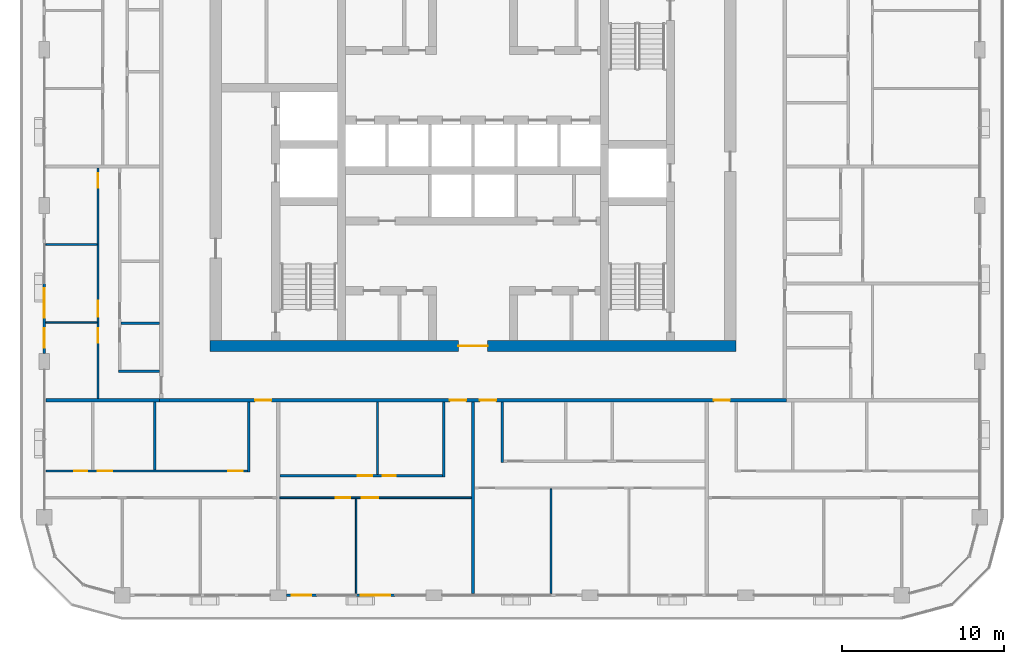
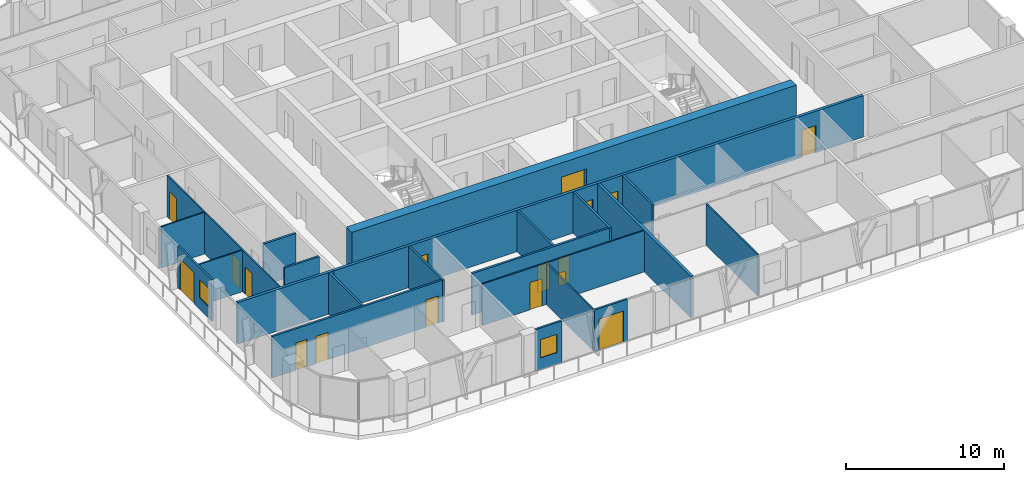
# One storey, part 9 of 22: 22 walls, 17 doors, 2 windows, 19 openings.
"""IFC4 building model written with IfcOpenShell, lengths in metres."""

from ifc_helpers import new_model, si_unit, direction, frame, frame_2d, origin, place, context, subcontext, project, spatial, rectangle, extrude, material, layer, layer_set, type_object, element, fill, save


model = new_model("IFC4")

# Units and contexts
model_context = context("Model", 3, precision=1e-05, world=origin(), true_north=direction((0.0, 1.0)))
body_context = subcontext(model_context, "Body", "Model", "MODEL_VIEW")
ifc_project = project(units=[si_unit("LENGTHUNIT", "METRE"), si_unit("AREAUNIT", "SQUARE_METRE"), si_unit("VOLUMEUNIT", "CUBIC_METRE"), si_unit("PLANEANGLEUNIT", "RADIAN"), si_unit("MASSUNIT", "GRAM", prefix="KILO")], contexts=[model_context])

# Site, building, storey
site_placement = place(None, origin())
site = spatial("IfcSite", under=ifc_project, at=site_placement, CompositionType="ELEMENT")
building_placement = place(site_placement, origin())
building = spatial("IfcBuilding", under=site, at=building_placement, Name="Madar Terraces", CompositionType="ELEMENT")
storey_placement = place(building_placement, frame((0.0, 0.0, 192.89990234375)))
storey = spatial("IfcBuildingStorey", under=building, at=storey_placement, Name="L50", CompositionType="ELEMENT", Elevation=192.89990234375)

# Wall, opening, door
ifc_material_1 = material(Name="Concrete C60/75", Category="concrete")
ifc_layer_1 = layer(ifc_material_1, 0.699951171875)
ifc_layer_set_1 = layer_set([ifc_layer_1], Name="Concrete C60/75 (CRW4 RC wall 700)")
wall_type_1 = type_object("IfcWallType", Name="CRW4 RC wall 700", PredefinedType="SHEAR", material=ifc_layer_set_1)
wall_1_placement = place(storey_placement, frame((15.0, 15.35009765625, 0.0), z_axis=(0.0, 0.0, 1.0), x_axis=(1.0, 0.0, 0.0)))
wall_1 = element("IfcWall", 1, at=wall_1_placement, inside=storey, type_object=wall_type_1, Name="CORE OUTER WALL", PredefinedType="SHEAR", context=body_context, shape_type="SweptSolid", body=[
    extrude(rectangle(XDim=32.39990234375, YDim=0.699951171875, at=frame_2d((16.199951171875, 0.0))), origin(), (0.0, 0.0, 1.0), 3.2001953125),
])
opening_1_placement = place(wall_1_placement, frame((15.300048828125, 0.0, 0.0)))
opening_1 = element("IfcOpeningElement", 2, at=opening_1_placement, cuts=wall_1, Name="Opening KD1", PredefinedType="OPENING", context=body_context, shape_type="SweptSolid", body=[
    extrude(rectangle(XDim=1.800048828125, YDim=2.10009765625, at=frame_2d((0.89990234375, 1.050048828125))), frame((0.0, 0.35986328125, 0.0), z_axis=(0.0, -1.0, 0.0), x_axis=(1.0, 0.0, 0.0)), (0.0, 0.0, 1.0), 0.719970703125),
])
ifc_material_2 = material(Name="Steel door leaf", Category="steel")
door_type_1 = type_object("IfcDoorType", Name="Lobby door pair 1800 x 2100", OperationType="DOUBLE_DOOR_SINGLE_SWING", PredefinedType="DOOR", material=ifc_material_2)
door_1_placement = place(opening_1_placement, frame((1.800048828125, 0.0, 0.0), z_axis=(0.0, 0.0, 1.0), x_axis=(-1.0, 0.0, 0.0)))
door_1 = element("IfcDoor", 3, at=door_1_placement, inside=storey, type_object=door_type_1, Name="LIFT LOBBY DOOR", OperationType="DOUBLE_DOOR_SINGLE_SWING", OverallHeight=2.10009765625, OverallWidth=1.800048828125, PredefinedType="DOOR", context=body_context, shape_type="SweptSolid", body=[
    extrude(rectangle(XDim=1.800048828125, YDim=2.10009765625, at=frame_2d((0.89990234375, 1.050048828125))), frame((0.0, 0.02490234375, 0.0), z_axis=(0.0, -1.0, 0.0), x_axis=(1.0, 0.0, 0.0)), (0.0, 0.0, 1.0), 0.050048828125),
])
fill(opening_1, door_1)

# Wall, opening, window
ifc_material_3 = material(Name="Aluminium composite panel, black, over insulated backing", Category="aluminium")
ifc_layer_2 = layer(ifc_material_3, 0.14990234375)
ifc_layer_set_2 = layer_set([ifc_layer_2], Name="Facade bay panel 150")
wall_type_2 = type_object("IfcWallType", Name="Facade bay panel 150", PredefinedType="SOLIDWALL", material=ifc_layer_set_2)
wall_2_placement = place(storey_placement, frame((19.699951171875, 0.0, 0.0), z_axis=(0.0, 0.0, 1.0), x_axis=(1.0, 0.0, 0.0)))
wall_2 = element("IfcWall", 4, at=wall_2_placement, inside=storey, type_object=wall_type_2, Name="Facade bay panel", PredefinedType="SOLIDWALL", context=body_context, shape_type="SweptSolid", body=[
    extrude(rectangle(XDim=1.900146484375, YDim=0.14990234375, at=frame_2d((0.9501953125, 0.0))), origin(), (0.0, 0.0, 1.0), 3.2001953125),
])
opening_2_placement = place(wall_2_placement, frame((0.35009765625, 0.0, 0.89990234375)))
opening_2 = element("IfcOpeningElement", 5, at=opening_2_placement, cuts=wall_2, Name="Opening W1", PredefinedType="OPENING", context=body_context, shape_type="SweptSolid", body=[
    extrude(rectangle(XDim=1.199951171875, YDim=1.39990234375, at=frame_2d((0.60009765625, 0.699951171875))), frame((0.0, 0.0849609375, 0.0), z_axis=(0.0, -1.0, 0.0), x_axis=(1.0, 0.0, 0.0)), (0.0, 0.0, 1.0), 0.169921875),
])
ifc_material_4 = material(Name="Glass, clear, with black aluminium frame", Category="aluminium")
window_type = type_object("IfcWindowType", Name="Vent window 1200 x 1400", PartitioningType="SINGLE_PANEL", PredefinedType="WINDOW", material=ifc_material_4)
window_1_placement = place(opening_2_placement, origin())
window_1 = element("IfcWindow", 6, at=window_1_placement, inside=storey, type_object=window_type, Name="Operable vent window", OverallHeight=1.39990234375, OverallWidth=1.199951171875, PartitioningType="SINGLE_PANEL", PredefinedType="WINDOW", context=body_context, shape_type="SweptSolid", body=[
    extrude(rectangle(XDim=1.199951171875, YDim=1.39990234375, at=frame_2d((0.60009765625, 0.699951171875))), frame((0.0, 0.030029296875, 0.0), z_axis=(0.0, -1.0, 0.0), x_axis=(1.0, 0.0, 0.0)), (0.0, 0.0, 1.0), 0.06005859375),
])
fill(opening_2, window_1)

# Wall, opening, door
wall_3_placement = place(storey_placement, frame((24.0, 0.0, 0.0), z_axis=(0.0, 0.0, 1.0), x_axis=(1.0, 0.0, 0.0)))
wall_3 = element("IfcWall", 7, at=wall_3_placement, inside=storey, type_object=wall_type_2, Name="Facade bay panel", PredefinedType="SOLIDWALL", context=body_context, shape_type="SweptSolid", body=[
    extrude(rectangle(XDim=2.39990234375, YDim=0.14990234375, at=frame_2d((1.199951171875, 0.0))), origin(), (0.0, 0.0, 1.0), 3.2001953125),
])
opening_3_placement = place(wall_3_placement, frame((0.300048828125, 0.0, 0.0)))
opening_3 = element("IfcOpeningElement", 8, at=opening_3_placement, cuts=wall_3, Name="Opening ED1", PredefinedType="OPENING", context=body_context, shape_type="SweptSolid", body=[
    extrude(rectangle(XDim=1.800048828125, YDim=2.39990234375, at=frame_2d((0.89990234375, 1.199951171875))), frame((0.0, 0.0849609375, 0.0), z_axis=(0.0, -1.0, 0.0), x_axis=(1.0, 0.0, 0.0)), (0.0, 0.0, 1.0), 0.169921875),
])
ifc_material_5 = material(Name="Glass, clear, with black aluminium frame", Category="aluminium")
door_type_2 = type_object("IfcDoorType", Name="Balcony and terrace sliding door 1800 x 2400", OperationType="SLIDING_TO_LEFT", PredefinedType="DOOR", material=ifc_material_5)
door_2_placement = place(opening_3_placement, origin())
door_2 = element("IfcDoor", 9, at=door_2_placement, inside=storey, type_object=door_type_2, Name="Balcony door", OperationType="SLIDING_TO_RIGHT", OverallHeight=2.39990234375, OverallWidth=1.800048828125, PredefinedType="DOOR", context=body_context, shape_type="SweptSolid", body=[
    extrude(rectangle(XDim=1.800048828125, YDim=2.39990234375, at=frame_2d((0.89990234375, 1.199951171875))), frame((0.0, 0.02490234375, 0.0), z_axis=(0.0, -1.0, 0.0), x_axis=(1.0, 0.0, 0.0)), (0.0, 0.0, 1.0), 0.050048828125),
])
fill(opening_3, door_2)

# Wall, openings, door, window
wall_4_placement = place(storey_placement, frame((4.800048828125, 19.199951171875, 0.0), z_axis=(0.0, 0.0, 1.0), x_axis=(0.0, -1.0, 0.0)))
wall_4 = element("IfcWall", 10, at=wall_4_placement, inside=storey, type_object=wall_type_2, Name="Facade bay panel", PredefinedType="SOLIDWALL", context=body_context, shape_type="SweptSolid", body=[
    extrude(rectangle(XDim=4.300048828125, YDim=0.14990234375, at=frame_2d((2.14990234375, 0.0))), origin(), (0.0, 0.0, 1.0), 3.2001953125),
])
opening_4_placement = place(wall_4_placement, frame((0.300048828125, 0.0, 0.0)))
opening_4 = element("IfcOpeningElement", 11, at=opening_4_placement, cuts=wall_4, Name="Opening ED1", PredefinedType="OPENING", context=body_context, shape_type="SweptSolid", body=[
    extrude(rectangle(XDim=1.800048828125, YDim=2.39990234375, at=frame_2d((0.89990234375, 1.199951171875))), frame((0.0, 0.0849609375, 0.0), z_axis=(0.0, -1.0, 0.0), x_axis=(1.0, 0.0, 0.0)), (0.0, 0.0, 1.0), 0.169921875),
])
opening_5_placement = place(wall_4_placement, frame((2.75, 0.0, 0.89990234375)))
opening_5 = element("IfcOpeningElement", 12, at=opening_5_placement, cuts=wall_4, Name="Opening W1", PredefinedType="OPENING", context=body_context, shape_type="SweptSolid", body=[
    extrude(rectangle(XDim=1.199951171875, YDim=1.39990234375, at=frame_2d((0.60009765625, 0.699951171875))), frame((0.0, 0.0849609375, 0.0), z_axis=(0.0, -1.0, 0.0), x_axis=(1.0, 0.0, 0.0)), (0.0, 0.0, 1.0), 0.169921875),
])
door_3_placement = place(opening_4_placement, origin())
door_3 = element("IfcDoor", 13, at=door_3_placement, inside=storey, type_object=door_type_2, Name="Balcony door", OperationType="SLIDING_TO_LEFT", OverallHeight=2.39990234375, OverallWidth=1.800048828125, PredefinedType="DOOR", context=body_context, shape_type="SweptSolid", body=[
    extrude(rectangle(XDim=1.800048828125, YDim=2.39990234375, at=frame_2d((0.89990234375, 1.199951171875))), frame((0.0, 0.02490234375, 0.0), z_axis=(0.0, -1.0, 0.0), x_axis=(1.0, 0.0, 0.0)), (0.0, 0.0, 1.0), 0.050048828125),
])
fill(opening_4, door_3)
window_2_placement = place(opening_5_placement, origin())
window_2 = element("IfcWindow", 14, at=window_2_placement, inside=storey, type_object=window_type, Name="Operable vent window", OverallHeight=1.39990234375, OverallWidth=1.199951171875, PartitioningType="SINGLE_PANEL", PredefinedType="WINDOW", context=body_context, shape_type="SweptSolid", body=[
    extrude(rectangle(XDim=1.199951171875, YDim=1.39990234375, at=frame_2d((0.60009765625, 0.699951171875))), frame((0.0, 0.030029296875, 0.0), z_axis=(0.0, -1.0, 0.0), x_axis=(1.0, 0.0, 0.0)), (0.0, 0.0, 1.0), 0.06005859375),
])
fill(opening_5, window_2)

# Wall
ifc_material_6 = material(Name="Gypsum board on steel studs", Category="steel")
ifc_layer_3 = layer(ifc_material_6, 0.10009765625)
ifc_layer_set_3 = layer_set([ifc_layer_3], Name="Flat partition 100")
wall_type_3 = type_object("IfcWallType", Name="Flat partition 100", PredefinedType="PARTITIONING", material=ifc_layer_set_3)
wall_5_placement = place(storey_placement, frame((24.0, 5.949951171875, 0.0), z_axis=(0.0, 0.0, 1.0), x_axis=(0.0, -1.0, 0.0)))
element("IfcWall", 15, at=wall_5_placement, inside=storey, type_object=wall_type_3, Name="Flat partition 100", PredefinedType="PARTITIONING", context=body_context, shape_type="SweptSolid", body=[
    extrude(rectangle(XDim=5.849853515625, YDim=0.10009765625, at=frame_2d((2.9248046875, 0.0))), origin(), (0.0, 0.0, 1.0), 3.2001953125),
])

# Wall, openings, doors
wall_6_placement = place(storey_placement, frame((31.10009765625, 6.0, 0.0), z_axis=(0.0, 0.0, 1.0), x_axis=(-1.0, 0.0, 0.0)))
wall_6 = element("IfcWall", 16, at=wall_6_placement, inside=storey, type_object=wall_type_3, Name="Flat partition 100", PredefinedType="PARTITIONING", context=body_context, shape_type="SweptSolid", body=[
    extrude(rectangle(XDim=11.800048828125, YDim=0.10009765625, at=frame_2d((5.89990234375, 0.0))), origin(), (0.0, 0.0, 1.0), 3.2001953125),
])
opening_6_placement = place(wall_6_placement, frame((5.75, 0.0, 0.0)))
opening_6 = element("IfcOpeningElement", 17, at=opening_6_placement, cuts=wall_6, Name="Opening D3", PredefinedType="OPENING", context=body_context, shape_type="SweptSolid", body=[
    extrude(rectangle(XDim=1.0, YDim=2.10009765625, at=frame_2d((0.5, 1.050048828125))), frame((0.0, 0.06005859375, 0.0), z_axis=(0.0, -1.0, 0.0), x_axis=(1.0, 0.0, 0.0)), (0.0, 0.0, 1.0), 0.1201171875),
])
opening_7_placement = place(wall_6_placement, frame((7.449951171875, 0.0, 0.0)))
opening_7 = element("IfcOpeningElement", 18, at=opening_7_placement, cuts=wall_6, Name="Opening D2", PredefinedType="OPENING", context=body_context, shape_type="SweptSolid", body=[
    extrude(rectangle(XDim=0.89990234375, YDim=2.10009765625, at=frame_2d((0.449951171875, 1.050048828125))), frame((0.0, 0.06005859375, 0.0), z_axis=(0.0, -1.0, 0.0), x_axis=(1.0, 0.0, 0.0)), (0.0, 0.0, 1.0), 0.1201171875),
])
ifc_material_7 = material(Name="Timber door leaf", Category="wood")
door_type_3 = type_object("IfcDoorType", Name="Flat living room door 1000", OperationType="NOTDEFINED", PredefinedType="DOOR", material=ifc_material_7)
door_4_placement = place(opening_6_placement, origin())
door_4 = element("IfcDoor", 19, at=door_4_placement, inside=storey, type_object=door_type_3, Name="Flat living room door 1000", OperationType="SINGLE_SWING_RIGHT", OverallHeight=2.10009765625, OverallWidth=1.0, PredefinedType="DOOR", context=body_context, shape_type="SweptSolid", body=[
    extrude(rectangle(XDim=1.0, YDim=2.10009765625, at=frame_2d((0.5, 1.050048828125))), frame((0.0, 0.02490234375, 0.0), z_axis=(0.0, -1.0, 0.0), x_axis=(1.0, 0.0, 0.0)), (0.0, 0.0, 1.0), 0.050048828125),
])
fill(opening_6, door_4)
ifc_material_8 = material(Name="Timber door leaf", Category="wood")
door_type_4 = type_object("IfcDoorType", Name="Flat room door 900", OperationType="NOTDEFINED", PredefinedType="DOOR", material=ifc_material_8)
door_5_placement = place(opening_7_placement, origin())
door_5 = element("IfcDoor", 20, at=door_5_placement, inside=storey, type_object=door_type_4, Name="Flat room door 900", OperationType="SINGLE_SWING_LEFT", OverallHeight=2.10009765625, OverallWidth=0.89990234375, PredefinedType="DOOR", context=body_context, shape_type="SweptSolid", body=[
    extrude(rectangle(XDim=0.89990234375, YDim=2.10009765625, at=frame_2d((0.449951171875, 1.050048828125))), frame((0.0, 0.02490234375, 0.0), z_axis=(0.0, -1.0, 0.0), x_axis=(1.0, 0.0, 0.0)), (0.0, 0.0, 1.0), 0.050048828125),
])
fill(opening_7, door_5)

# Walls
wall_7_placement = place(storey_placement, frame((36.0, 6.550048828125, 0.0), z_axis=(0.0, 0.0, 1.0), x_axis=(0.0, -1.0, 0.0)))
element("IfcWall", 21, at=wall_7_placement, inside=storey, type_object=wall_type_3, Name="Flat partition 100", PredefinedType="PARTITIONING", context=body_context, shape_type="SweptSolid", body=[
    extrude(rectangle(XDim=6.449951171875, YDim=0.10009765625, at=frame_2d((3.22509765625, 0.0))), origin(), (0.0, 0.0, 1.0), 3.2001953125),
])
for number, where, z_axis, x_axis, name in (
    (22, (8.050048828125, 16.800048828125, 0.0), (0.0, 0.0, 1.0), (-1.0, 0.0, 0.0), "Flat partition 100"),
    (23, (8.050048828125, 21.60009765625, 0.0), (0.0, 0.0, 1.0), (-1.0, 0.0, 0.0), "Flat partition 100"),
):
    element("IfcWall", number, at=place(storey_placement, frame(where, z_axis=z_axis, x_axis=x_axis)), inside=storey, type_object=wall_type_3, Name=name, PredefinedType="PARTITIONING", context=body_context, shape_type="SweptSolid", body=[
        extrude(rectangle(XDim=3.150146484375, YDim=0.10009765625, at=frame_2d((1.5751953125, 0.0))), origin(), (0.0, 0.0, 1.0), 3.2001953125),
    ])

# Wall, openings, doors
wall_8_placement = place(storey_placement, frame((8.10009765625, 12.10009765625, 0.0), z_axis=(0.0, 0.0, 1.0), x_axis=(0.0, 1.0, 0.0)))
wall_8 = element("IfcWall", 24, at=wall_8_placement, inside=storey, type_object=wall_type_3, Name="Flat partition 100", PredefinedType="PARTITIONING", context=body_context, shape_type="SweptSolid", body=[
    extrude(rectangle(XDim=14.199951171875, YDim=0.10009765625, at=frame_2d((7.10009765625, 0.0))), origin(), (0.0, 0.0, 1.0), 3.2001953125),
])
opening_8_placement = place(wall_8_placement, frame((3.449951171875, 0.0, 0.0)))
opening_8 = element("IfcOpeningElement", 25, at=opening_8_placement, cuts=wall_8, Name="Opening D2", PredefinedType="OPENING", context=body_context, shape_type="SweptSolid", body=[
    extrude(rectangle(XDim=0.89990234375, YDim=2.10009765625, at=frame_2d((0.449951171875, 1.050048828125))), frame((0.0, 0.06005859375, 0.0), z_axis=(0.0, -1.0, 0.0), x_axis=(1.0, 0.0, 0.0)), (0.0, 0.0, 1.0), 0.1201171875),
])
opening_9_placement = place(wall_8_placement, frame((5.050048828125, 0.0, 0.0)))
opening_9 = element("IfcOpeningElement", 26, at=opening_9_placement, cuts=wall_8, Name="Opening D3", PredefinedType="OPENING", context=body_context, shape_type="SweptSolid", body=[
    extrude(rectangle(XDim=1.0, YDim=2.10009765625, at=frame_2d((0.5, 1.050048828125))), frame((0.0, 0.06005859375, 0.0), z_axis=(0.0, -1.0, 0.0), x_axis=(1.0, 0.0, 0.0)), (0.0, 0.0, 1.0), 0.1201171875),
])
opening_10_placement = place(wall_8_placement, frame((13.0, 0.0, 0.0)))
opening_10 = element("IfcOpeningElement", 27, at=opening_10_placement, cuts=wall_8, Name="Opening D2", PredefinedType="OPENING", context=body_context, shape_type="SweptSolid", body=[
    extrude(rectangle(XDim=0.89990234375, YDim=2.10009765625, at=frame_2d((0.449951171875, 1.050048828125))), frame((0.0, 0.06005859375, 0.0), z_axis=(0.0, -1.0, 0.0), x_axis=(1.0, 0.0, 0.0)), (0.0, 0.0, 1.0), 0.1201171875),
])
door_6_placement = place(opening_9_placement, origin())
door_6 = element("IfcDoor", 28, at=door_6_placement, inside=storey, type_object=door_type_3, Name="Flat living room door 1000", OperationType="SINGLE_SWING_LEFT", OverallHeight=2.10009765625, OverallWidth=1.0, PredefinedType="DOOR", context=body_context, shape_type="SweptSolid", body=[
    extrude(rectangle(XDim=1.0, YDim=2.10009765625, at=frame_2d((0.5, 1.050048828125))), frame((0.0, 0.02490234375, 0.0), z_axis=(0.0, -1.0, 0.0), x_axis=(1.0, 0.0, 0.0)), (0.0, 0.0, 1.0), 0.050048828125),
])
fill(opening_9, door_6)
door_7_placement = place(opening_8_placement, origin())
door_7 = element("IfcDoor", 29, at=door_7_placement, inside=storey, type_object=door_type_4, Name="Flat room door 900", OperationType="SINGLE_SWING_RIGHT", OverallHeight=2.10009765625, OverallWidth=0.89990234375, PredefinedType="DOOR", context=body_context, shape_type="SweptSolid", body=[
    extrude(rectangle(XDim=0.89990234375, YDim=2.10009765625, at=frame_2d((0.449951171875, 1.050048828125))), frame((0.0, 0.02490234375, 0.0), z_axis=(0.0, -1.0, 0.0), x_axis=(1.0, 0.0, 0.0)), (0.0, 0.0, 1.0), 0.050048828125),
])
fill(opening_8, door_7)
door_8_placement = place(opening_10_placement, origin())
door_8 = element("IfcDoor", 30, at=door_8_placement, inside=storey, type_object=door_type_4, Name="Flat room door 900", OperationType="SINGLE_SWING_RIGHT", OverallHeight=2.10009765625, OverallWidth=0.89990234375, PredefinedType="DOOR", context=body_context, shape_type="SweptSolid", body=[
    extrude(rectangle(XDim=0.89990234375, YDim=2.10009765625, at=frame_2d((0.449951171875, 1.050048828125))), frame((0.0, 0.02490234375, 0.0), z_axis=(0.0, -1.0, 0.0), x_axis=(1.0, 0.0, 0.0)), (0.0, 0.0, 1.0), 0.050048828125),
])
fill(opening_10, door_8)

ifc_material_9 = material(Name="Lightweight blockwork", Category="masonry")
ifc_layer_4 = layer(ifc_material_9, 0.199951171875)
ifc_layer_set_4 = layer_set([ifc_layer_4], Name="Flat party and entrance wall 200")
wall_type_4 = type_object("IfcWallType", Name="Flat party and entrance wall 200", PredefinedType="PARTITIONING", material=ifc_layer_set_4)
wall_9_placement = place(storey_placement, frame((50.5, 12.0, 0.0), z_axis=(0.0, 0.0, 1.0), x_axis=(-1.0, 0.0, 0.0)))
wall_9 = element("IfcWall", 31, at=wall_9_placement, inside=storey, type_object=wall_type_4, Name="Flat party and entrance wall 200", PredefinedType="PARTITIONING", context=body_context, shape_type="SweptSolid", body=[
    extrude(rectangle(XDim=38.60009765625, YDim=0.199951171875, at=frame_2d((19.300048828125, 0.0))), origin(), (0.0, 0.0, 1.0), 3.2001953125),
])
opening_11_placement = place(wall_9_placement, frame((31.72509765625, 0.0, 0.0)))
opening_11 = element("IfcOpeningElement", 32, at=opening_11_placement, cuts=wall_9, Name="Opening D1", PredefinedType="OPENING", context=body_context, shape_type="SweptSolid", body=[
    extrude(rectangle(XDim=1.0, YDim=2.10009765625, at=frame_2d((0.5, 1.050048828125))), frame((0.0, 0.10986328125, 0.0), z_axis=(0.0, -1.0, 0.0), x_axis=(1.0, 0.0, 0.0)), (0.0, 0.0, 1.0), 0.219970703125),
])
opening_12_placement = place(wall_9_placement, frame((19.72509765625, 0.0, 0.0)))
opening_12 = element("IfcOpeningElement", 33, at=opening_12_placement, cuts=wall_9, Name="Opening D1", PredefinedType="OPENING", context=body_context, shape_type="SweptSolid", body=[
    extrude(rectangle(XDim=1.0, YDim=2.10009765625, at=frame_2d((0.5, 1.050048828125))), frame((0.0, 0.10986328125, 0.0), z_axis=(0.0, -1.0, 0.0), x_axis=(1.0, 0.0, 0.0)), (0.0, 0.0, 1.0), 0.219970703125),
])
opening_13_placement = place(wall_9_placement, frame((17.875, 0.0, 0.0)))
opening_13 = element("IfcOpeningElement", 34, at=opening_13_placement, cuts=wall_9, Name="Opening D1", PredefinedType="OPENING", context=body_context, shape_type="SweptSolid", body=[
    extrude(rectangle(XDim=1.0, YDim=2.10009765625, at=frame_2d((0.5, 1.050048828125))), frame((0.0, 0.10986328125, 0.0), z_axis=(0.0, -1.0, 0.0), x_axis=(1.0, 0.0, 0.0)), (0.0, 0.0, 1.0), 0.219970703125),
])
opening_14_placement = place(wall_9_placement, frame((3.47509765625, 0.0, 0.0)))
opening_14 = element("IfcOpeningElement", 35, at=opening_14_placement, cuts=wall_9, Name="Opening D1", PredefinedType="OPENING", context=body_context, shape_type="SweptSolid", body=[
    extrude(rectangle(XDim=1.0, YDim=2.10009765625, at=frame_2d((0.5, 1.050048828125))), frame((0.0, 0.10986328125, 0.0), z_axis=(0.0, -1.0, 0.0), x_axis=(1.0, 0.0, 0.0)), (0.0, 0.0, 1.0), 0.219970703125),
])
ifc_material_10 = material(Name="Timber fire door leaf", Category="wood")
door_type_5 = type_object("IfcDoorType", Name="Flat entrance door 1000 FD30S", OperationType="NOTDEFINED", PredefinedType="DOOR", material=ifc_material_10)
door_9_placement = place(opening_11_placement, origin())
door_9 = element("IfcDoor", 36, at=door_9_placement, inside=storey, type_object=door_type_5, Name="Flat entrance door 1000 FD30S", OperationType="SINGLE_SWING_LEFT", OverallHeight=2.10009765625, OverallWidth=1.0, PredefinedType="DOOR", context=body_context, shape_type="SweptSolid", body=[
    extrude(rectangle(XDim=1.0, YDim=2.10009765625, at=frame_2d((0.5, 1.050048828125))), frame((0.0, 0.02490234375, 0.0), z_axis=(0.0, -1.0, 0.0), x_axis=(1.0, 0.0, 0.0)), (0.0, 0.0, 1.0), 0.050048828125),
])
fill(opening_11, door_9)
door_10_placement = place(opening_12_placement, origin())
door_10 = element("IfcDoor", 37, at=door_10_placement, inside=storey, type_object=door_type_5, Name="Flat entrance door 1000 FD30S", OperationType="SINGLE_SWING_LEFT", OverallHeight=2.10009765625, OverallWidth=1.0, PredefinedType="DOOR", context=body_context, shape_type="SweptSolid", body=[
    extrude(rectangle(XDim=1.0, YDim=2.10009765625, at=frame_2d((0.5, 1.050048828125))), frame((0.0, 0.02490234375, 0.0), z_axis=(0.0, -1.0, 0.0), x_axis=(1.0, 0.0, 0.0)), (0.0, 0.0, 1.0), 0.050048828125),
])
fill(opening_12, door_10)
door_11_placement = place(opening_13_placement, origin())
door_11 = element("IfcDoor", 38, at=door_11_placement, inside=storey, type_object=door_type_5, Name="Flat entrance door 1000 FD30S", OperationType="SINGLE_SWING_RIGHT", OverallHeight=2.10009765625, OverallWidth=1.0, PredefinedType="DOOR", context=body_context, shape_type="SweptSolid", body=[
    extrude(rectangle(XDim=1.0, YDim=2.10009765625, at=frame_2d((0.5, 1.050048828125))), frame((0.0, 0.02490234375, 0.0), z_axis=(0.0, -1.0, 0.0), x_axis=(1.0, 0.0, 0.0)), (0.0, 0.0, 1.0), 0.050048828125),
])
fill(opening_13, door_11)
door_12_placement = place(opening_14_placement, origin())
door_12 = element("IfcDoor", 39, at=door_12_placement, inside=storey, type_object=door_type_5, Name="Flat entrance door 1000 FD30S", OperationType="SINGLE_SWING_RIGHT", OverallHeight=2.10009765625, OverallWidth=1.0, PredefinedType="DOOR", context=body_context, shape_type="SweptSolid", body=[
    extrude(rectangle(XDim=1.0, YDim=2.10009765625, at=frame_2d((0.5, 1.050048828125))), frame((0.0, 0.02490234375, 0.0), z_axis=(0.0, -1.0, 0.0), x_axis=(1.0, 0.0, 0.0)), (0.0, 0.0, 1.0), 0.050048828125),
])
fill(opening_14, door_12)

# Walls
wall_10_placement = place(storey_placement, frame((4.89990234375, 12.0, 0.0), z_axis=(0.0, 0.0, 1.0), x_axis=(1.0, 0.0, 0.0)))
element("IfcWall", 40, at=wall_10_placement, inside=storey, type_object=wall_type_4, Name="Flat party and entrance wall 200", PredefinedType="PARTITIONING", context=body_context, shape_type="SweptSolid", body=[
    extrude(rectangle(XDim=7.0, YDim=0.199951171875, at=frame_2d((3.5, 0.0))), origin(), (0.0, 0.0, 1.0), 3.2001953125),
])
wall_11_placement = place(storey_placement, frame((31.199951171875, 11.89990234375, 0.0), z_axis=(0.0, 0.0, 1.0), x_axis=(0.0, -1.0, 0.0)))
element("IfcWall", 41, at=wall_11_placement, inside=storey, type_object=wall_type_4, Name="Flat party and entrance wall 200", PredefinedType="PARTITIONING", context=body_context, shape_type="SweptSolid", body=[
    extrude(rectangle(XDim=11.7998046875, YDim=0.199951171875, at=frame_2d((5.89990234375, 0.0))), origin(), (0.0, 0.0, 1.0), 3.2001953125),
])
ifc_material_11 = material(Name="Lightweight blockwork", Category="masonry")
ifc_layer_5 = layer(ifc_material_11, 0.14990234375)
ifc_layer_set_5 = layer_set([ifc_layer_5], Name="Flat wet-room partition 150")
wall_type_5 = type_object("IfcWallType", Name="Flat wet-room partition 150", PredefinedType="PARTITIONING", material=ifc_layer_set_5)
wall_12_placement = place(storey_placement, frame((11.59033203125, 11.89990234375, 0.0), z_axis=(0.0, 0.0, 1.0), x_axis=(0.0, -1.0, 0.0)))
element("IfcWall", 42, at=wall_12_placement, inside=storey, type_object=wall_type_5, Name="Flat wet-room partition 150", PredefinedType="PARTITIONING", context=body_context, shape_type="SweptSolid", body=[
    extrude(rectangle(XDim=4.1748046875, YDim=0.14990234375, at=frame_2d((2.08740234375, 0.0))), origin(), (0.0, 0.0, 1.0), 3.2001953125),
])
wall_13_placement = place(storey_placement, frame((17.39990234375, 11.89990234375, 0.0), z_axis=(0.0, 0.0, 1.0), x_axis=(0.0, -1.0, 0.0)))
element("IfcWall", 43, at=wall_13_placement, inside=storey, type_object=wall_type_5, Name="Flat wet-room partition 150", PredefinedType="PARTITIONING", context=body_context, shape_type="SweptSolid", body=[
    extrude(rectangle(XDim=4.324951171875, YDim=0.14990234375, at=frame_2d((2.16259765625, 0.0))), origin(), (0.0, 0.0, 1.0), 3.2001953125),
])

# Wall, openings, doors
wall_14_placement = place(storey_placement, frame((4.89990234375, 7.64990234375, 0.0), z_axis=(0.0, 0.0, 1.0), x_axis=(1.0, 0.0, 0.0)))
wall_14 = element("IfcWall", 44, at=wall_14_placement, inside=storey, type_object=wall_type_5, Name="Flat wet-room partition 150", PredefinedType="PARTITIONING", context=body_context, shape_type="SweptSolid", body=[
    extrude(rectangle(XDim=12.425048828125, YDim=0.14990234375, at=frame_2d((6.21240234375, 0.0))), origin(), (0.0, 0.0, 1.0), 3.2001953125),
])
opening_15_placement = place(wall_14_placement, frame((11.22509765625, 0.0, 0.0)))
opening_15 = element("IfcOpeningElement", 45, at=opening_15_placement, cuts=wall_14, Name="Opening D2", PredefinedType="OPENING", context=body_context, shape_type="SweptSolid", body=[
    extrude(rectangle(XDim=0.89990234375, YDim=2.10009765625, at=frame_2d((0.449951171875, 1.050048828125))), frame((0.0, 0.0849609375, 0.0), z_axis=(0.0, -1.0, 0.0), x_axis=(1.0, 0.0, 0.0)), (0.0, 0.0, 1.0), 0.169921875),
])
opening_16_placement = place(wall_14_placement, frame((3.1923828125, 0.0, 0.0)))
opening_16 = element("IfcOpeningElement", 46, at=opening_16_placement, cuts=wall_14, Name="Opening D5", PredefinedType="OPENING", context=body_context, shape_type="SweptSolid", body=[
    extrude(rectangle(XDim=0.89990234375, YDim=2.10009765625, at=frame_2d((0.449951171875, 1.050048828125))), frame((0.0, 0.0849609375, 0.0), z_axis=(0.0, -1.0, 0.0), x_axis=(1.0, 0.0, 0.0)), (0.0, 0.0, 1.0), 0.169921875),
])
opening_17_placement = place(wall_14_placement, frame((1.7421875, 0.0, 0.0)))
opening_17 = element("IfcOpeningElement", 47, at=opening_17_placement, cuts=wall_14, Name="Opening D4", PredefinedType="OPENING", context=body_context, shape_type="SweptSolid", body=[
    extrude(rectangle(XDim=0.800048828125, YDim=2.10009765625, at=frame_2d((0.39990234375, 1.050048828125))), frame((0.0, 0.0849609375, 0.0), z_axis=(0.0, -1.0, 0.0), x_axis=(1.0, 0.0, 0.0)), (0.0, 0.0, 1.0), 0.169921875),
])
ifc_material_12 = material(Name="Timber door leaf", Category="wood")
door_type_6 = type_object("IfcDoorType", Name="Flat accessible bathroom door 900", OperationType="NOTDEFINED", PredefinedType="DOOR", material=ifc_material_12)
door_13_placement = place(opening_16_placement, origin())
door_13 = element("IfcDoor", 48, at=door_13_placement, inside=storey, type_object=door_type_6, Name="Flat accessible bathroom door 900", OperationType="SINGLE_SWING_LEFT", OverallHeight=2.10009765625, OverallWidth=0.89990234375, PredefinedType="DOOR", context=body_context, shape_type="SweptSolid", body=[
    extrude(rectangle(XDim=0.89990234375, YDim=2.10009765625, at=frame_2d((0.449951171875, 1.050048828125))), frame((0.0, 0.02490234375, 0.0), z_axis=(0.0, -1.0, 0.0), x_axis=(1.0, 0.0, 0.0)), (0.0, 0.0, 1.0), 0.050048828125),
])
fill(opening_16, door_13)
ifc_material_13 = material(Name="Timber door leaf", Category="wood")
door_type_7 = type_object("IfcDoorType", Name="Flat bathroom door 800", OperationType="NOTDEFINED", PredefinedType="DOOR", material=ifc_material_13)
door_14_placement = place(opening_17_placement, origin())
door_14 = element("IfcDoor", 49, at=door_14_placement, inside=storey, type_object=door_type_7, Name="Flat bathroom door 800", OperationType="SINGLE_SWING_RIGHT", OverallHeight=2.10009765625, OverallWidth=0.800048828125, PredefinedType="DOOR", context=body_context, shape_type="SweptSolid", body=[
    extrude(rectangle(XDim=0.800048828125, YDim=2.10009765625, at=frame_2d((0.39990234375, 1.050048828125))), frame((0.0, 0.02490234375, 0.0), z_axis=(0.0, -1.0, 0.0), x_axis=(1.0, 0.0, 0.0)), (0.0, 0.0, 1.0), 0.050048828125),
])
fill(opening_17, door_14)
door_15_placement = place(opening_15_placement, origin())
door_15 = element("IfcDoor", 50, at=door_15_placement, inside=storey, type_object=door_type_4, Name="Flat room door 900", OperationType="SINGLE_SWING_RIGHT", OverallHeight=2.10009765625, OverallWidth=0.89990234375, PredefinedType="DOOR", context=body_context, shape_type="SweptSolid", body=[
    extrude(rectangle(XDim=0.89990234375, YDim=2.10009765625, at=frame_2d((0.449951171875, 1.050048828125))), frame((0.0, 0.02490234375, 0.0), z_axis=(0.0, -1.0, 0.0), x_axis=(1.0, 0.0, 0.0)), (0.0, 0.0, 1.0), 0.050048828125),
])
fill(opening_15, door_15)

# Walls
wall_15_placement = place(storey_placement, frame((25.31494140625, 11.89990234375, 0.0), z_axis=(0.0, 0.0, 1.0), x_axis=(0.0, -1.0, 0.0)))
element("IfcWall", 51, at=wall_15_placement, inside=storey, type_object=wall_type_5, Name="Flat wet-room partition 150", PredefinedType="PARTITIONING", context=body_context, shape_type="SweptSolid", body=[
    extrude(rectangle(XDim=4.474853515625, YDim=0.14990234375, at=frame_2d((2.2373046875, 0.0))), origin(), (0.0, 0.0, 1.0), 3.2001953125),
])
wall_16_placement = place(storey_placement, frame((29.39990234375, 11.89990234375, 0.0), z_axis=(0.0, 0.0, 1.0), x_axis=(0.0, -1.0, 0.0)))
element("IfcWall", 52, at=wall_16_placement, inside=storey, type_object=wall_type_5, Name="Flat wet-room partition 150", PredefinedType="PARTITIONING", context=body_context, shape_type="SweptSolid", body=[
    extrude(rectangle(XDim=4.625, YDim=0.14990234375, at=frame_2d((2.3125, 0.0))), origin(), (0.0, 0.0, 1.0), 3.2001953125),
])

# Wall, openings, doors
wall_17_placement = place(storey_placement, frame((19.300048828125, 7.35009765625, 0.0), z_axis=(0.0, 0.0, 1.0), x_axis=(1.0, 0.0, 0.0)))
wall_17 = element("IfcWall", 53, at=wall_17_placement, inside=storey, type_object=wall_type_5, Name="Flat wet-room partition 150", PredefinedType="PARTITIONING", context=body_context, shape_type="SweptSolid", body=[
    extrude(rectangle(XDim=10.02490234375, YDim=0.14990234375, at=frame_2d((5.012451171875, 0.0))), origin(), (0.0, 0.0, 1.0), 3.2001953125),
])
opening_18_placement = place(wall_17_placement, frame((6.340087890625, 0.0, 0.0)))
opening_18 = element("IfcOpeningElement", 54, at=opening_18_placement, cuts=wall_17, Name="Opening D4", PredefinedType="OPENING", context=body_context, shape_type="SweptSolid", body=[
    extrude(rectangle(XDim=0.800048828125, YDim=2.10009765625, at=frame_2d((0.39990234375, 1.050048828125))), frame((0.0, 0.0849609375, 0.0), z_axis=(0.0, -1.0, 0.0), x_axis=(1.0, 0.0, 0.0)), (0.0, 0.0, 1.0), 0.169921875),
])
opening_19_placement = place(wall_17_placement, frame((4.7900390625, 0.0, 0.0)))
opening_19 = element("IfcOpeningElement", 55, at=opening_19_placement, cuts=wall_17, Name="Opening D2", PredefinedType="OPENING", context=body_context, shape_type="SweptSolid", body=[
    extrude(rectangle(XDim=0.89990234375, YDim=2.10009765625, at=frame_2d((0.449951171875, 1.050048828125))), frame((0.0, 0.0849609375, 0.0), z_axis=(0.0, -1.0, 0.0), x_axis=(1.0, 0.0, 0.0)), (0.0, 0.0, 1.0), 0.169921875),
])
door_16_placement = place(opening_18_placement, origin())
door_16 = element("IfcDoor", 56, at=door_16_placement, inside=storey, type_object=door_type_7, Name="Flat bathroom door 800", OperationType="SINGLE_SWING_LEFT", OverallHeight=2.10009765625, OverallWidth=0.800048828125, PredefinedType="DOOR", context=body_context, shape_type="SweptSolid", body=[
    extrude(rectangle(XDim=0.800048828125, YDim=2.10009765625, at=frame_2d((0.39990234375, 1.050048828125))), frame((0.0, 0.02490234375, 0.0), z_axis=(0.0, -1.0, 0.0), x_axis=(1.0, 0.0, 0.0)), (0.0, 0.0, 1.0), 0.050048828125),
])
fill(opening_18, door_16)
door_17_placement = place(opening_19_placement, origin())
door_17 = element("IfcDoor", 57, at=door_17_placement, inside=storey, type_object=door_type_4, Name="Flat room door 900", OperationType="SINGLE_SWING_RIGHT", OverallHeight=2.10009765625, OverallWidth=0.89990234375, PredefinedType="DOOR", context=body_context, shape_type="SweptSolid", body=[
    extrude(rectangle(XDim=0.89990234375, YDim=2.10009765625, at=frame_2d((0.449951171875, 1.050048828125))), frame((0.0, 0.02490234375, 0.0), z_axis=(0.0, -1.0, 0.0), x_axis=(1.0, 0.0, 0.0)), (0.0, 0.0, 1.0), 0.050048828125),
])
fill(opening_19, door_17)

# Walls
wall_18_placement = place(storey_placement, frame((33.0, 11.89990234375, 0.0), z_axis=(0.0, 0.0, 1.0), x_axis=(0.0, -1.0, 0.0)))
element("IfcWall", 58, at=wall_18_placement, inside=storey, type_object=wall_type_5, Name="Flat wet-room partition 150", PredefinedType="PARTITIONING", context=body_context, shape_type="SweptSolid", body=[
    extrude(rectangle(XDim=3.724853515625, YDim=0.14990234375, at=frame_2d((1.8623046875, 0.0))), origin(), (0.0, 0.0, 1.0), 3.2001953125),
])
wall_19_placement = place(storey_placement, frame((11.89990234375, 16.7421875, 0.0), z_axis=(0.0, 0.0, 1.0), x_axis=(-1.0, 0.0, 0.0)))
element("IfcWall", 59, at=wall_19_placement, inside=storey, type_object=wall_type_5, Name="Flat wet-room partition 150", PredefinedType="PARTITIONING", context=body_context, shape_type="SweptSolid", body=[
    extrude(rectangle(XDim=2.375, YDim=0.14990234375, at=frame_2d((1.1875, 0.0))), origin(), (0.0, 0.0, 1.0), 3.2001953125),
])
wall_20_placement = place(storey_placement, frame((11.89990234375, 13.800048828125, 0.0), z_axis=(0.0, 0.0, 1.0), x_axis=(-1.0, 0.0, 0.0)))
element("IfcWall", 60, at=wall_20_placement, inside=storey, type_object=wall_type_5, Name="Flat wet-room partition 150", PredefinedType="PARTITIONING", context=body_context, shape_type="SweptSolid", body=[
    extrude(rectangle(XDim=2.52490234375, YDim=0.14990234375, at=frame_2d((1.262451171875, 0.0))), origin(), (0.0, 0.0, 1.0), 3.2001953125),
])

save(model, "model.ifc")
